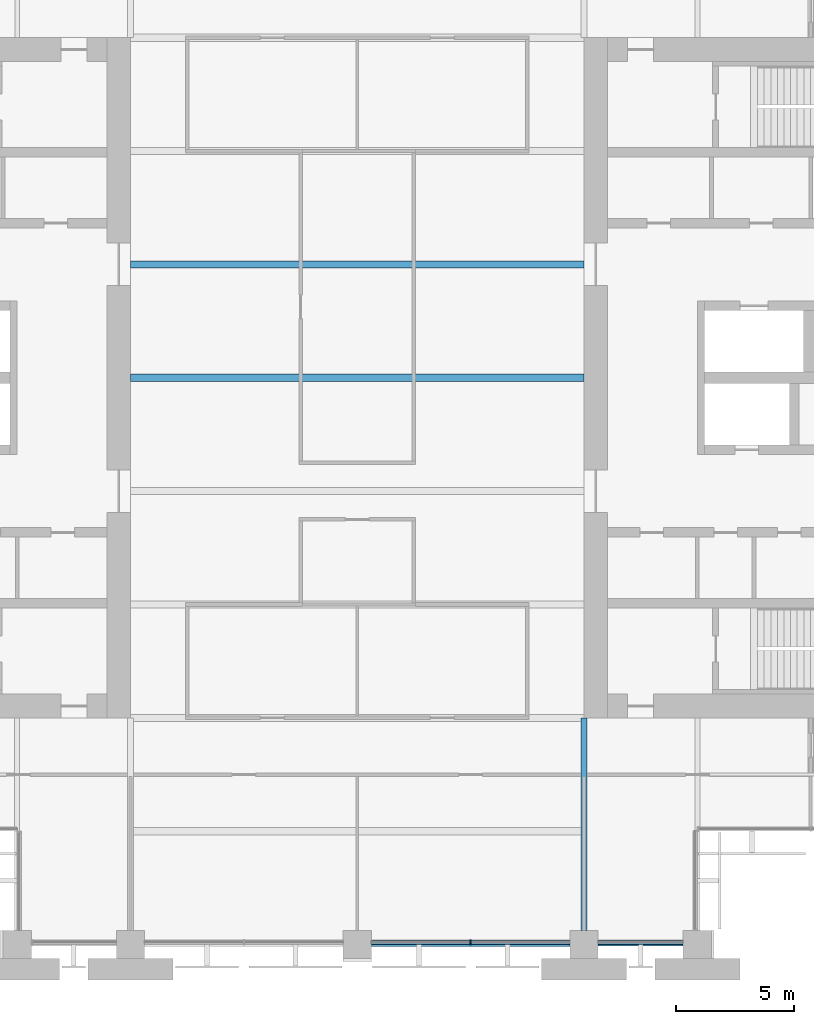
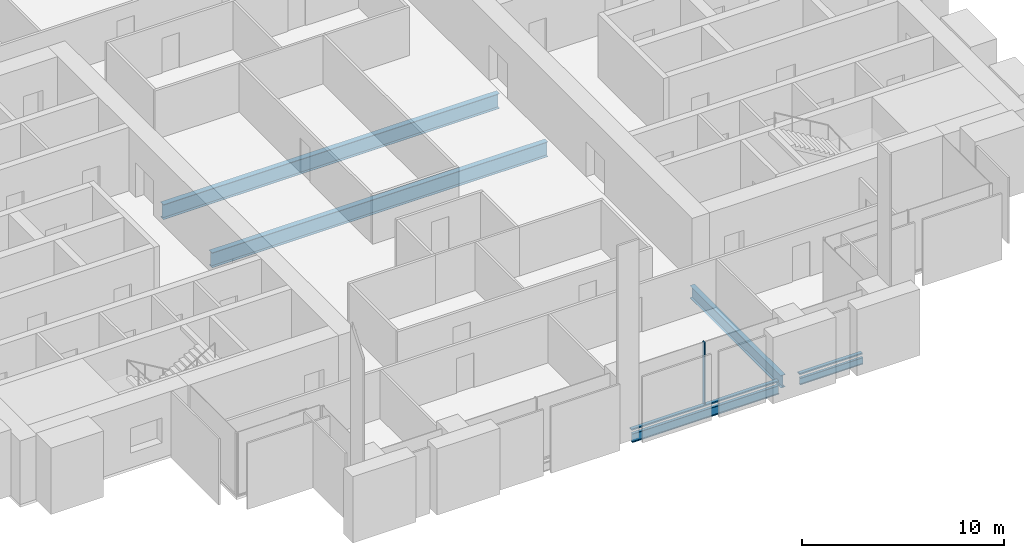
# One storey, part 3 of 14: 5 beams, 3 members, 1 element without a shape of its own.
"""IFC4 building model written with IfcOpenShell, lengths in metres."""

from ifc_helpers import new_model, si_unit, direction, frame, origin, origin_2d, place, context, subcontext, project, spatial, rectangle, i_section, extrude, material, material_profile, profile_set, type_object, element, aggregate, save


model = new_model("IFC4")

# Units and contexts
model_context = context("Model", 3, precision=1e-05, world=origin(), true_north=direction((0.0, 1.0)))
body_context = subcontext(model_context, "Body", "Model", "MODEL_VIEW")
ifc_project = project(units=[si_unit("LENGTHUNIT", "METRE"), si_unit("AREAUNIT", "SQUARE_METRE"), si_unit("VOLUMEUNIT", "CUBIC_METRE"), si_unit("PLANEANGLEUNIT", "RADIAN"), si_unit("MASSUNIT", "GRAM", prefix="KILO")], contexts=[model_context])

# Site, building, storey
site_placement = place(None, origin())
site = spatial("IfcSite", under=ifc_project, at=site_placement, CompositionType="ELEMENT")
building_placement = place(site_placement, origin())
building = spatial("IfcBuilding", under=site, at=building_placement, Name="Baori Bourse Tower", CompositionType="ELEMENT")
storey_placement = place(building_placement, frame((0.0, 0.0, 108.10009765625)))
storey = spatial("IfcBuildingStorey", under=building, at=storey_placement, Name="L22", CompositionType="ELEMENT", Elevation=108.10009765625)

# Curtain wall, members
ifc_material_1 = material(Name="Pale anodised aluminium", Category="aluminium")
curtain_wall_type = type_object("IfcCurtainWallType", Name="CW1 Curtain wall", PredefinedType="NOTDEFINED", material=ifc_material_1)
curtain_wall_placement = place(storey_placement, origin())
curtain_wall = element("IfcCurtainWall", 1, at=curtain_wall_placement, inside=storey, type_object=curtain_wall_type, Name="Curtain wall CW1 L22 11", PredefinedType="NOTDEFINED")
ifc_material_2 = material(Name="Pale anodised aluminium", Category="aluminium")
ifc_material_profile_1 = material_profile(ifc_material_2, rectangle(XDim=0.199951171875, YDim=0.06005859375, at=origin_2d()), Name="Mullion 60x200")
ifc_profile_set_1 = profile_set([ifc_material_profile_1], Name="Pale anodised aluminium")
member_type_1 = type_object("IfcMemberType", Name="CW1 Curtain wall mullion", PredefinedType="MULLION", material=ifc_profile_set_1)
member_1_placement = place(storey_placement, frame((33.60009765625, 0.10009765625, 0.079833984375), z_axis=(0.0, 0.0, 1.0), x_axis=(0.0, 1.0, 0.0)))
member_1 = element("IfcMember", 2, at=member_1_placement, type_object=member_type_1, Name="Curtain wall CW1 mullion", PredefinedType="MULLION", context=body_context, shape_type="SweptSolid", body=[
    extrude(rectangle(XDim=0.199951171875, YDim=0.06005859375, at=origin_2d()), origin(), (0.0, 0.0, 1.0), 3.760009765625),
])
ifc_material_3 = material(Name="Pale anodised aluminium", Category="aluminium")
ifc_material_profile_2 = material_profile(ifc_material_3, rectangle(XDim=0.199951171875, YDim=0.080078125, at=origin_2d()), Name="Transom 80x200")
ifc_profile_set_2 = profile_set([ifc_material_profile_2], Name="Pale anodised aluminium")
member_type_2 = type_object("IfcMemberType", Name="CW1 Curtain wall transom", PredefinedType="USERDEFINED", material=ifc_profile_set_2)
member_2_placement = place(storey_placement, frame((29.39990234375, 0.10009765625, 0.039794921875), z_axis=(1.0, 0.0, 0.0), x_axis=(0.0, 1.0, 0.0)))
member_2 = element("IfcMember", 3, at=member_2_placement, type_object=member_type_2, Name="Curtain wall CW1 sill rail", ObjectType="TRANSOM", PredefinedType="USERDEFINED", context=body_context, shape_type="SweptSolid", body=[
    extrude(rectangle(XDim=0.199951171875, YDim=0.080078125, at=origin_2d()), origin(), (0.0, 0.0, 1.0), 8.400146484375),
])
member_3_placement = place(storey_placement, frame((39.0, 0.10009765625, 0.039794921875), z_axis=(1.0, 0.0, 0.0), x_axis=(0.0, 1.0, 0.0)))
member_3 = element("IfcMember", 4, at=member_3_placement, type_object=member_type_2, Name="Curtain wall CW1 sill rail", ObjectType="TRANSOM", PredefinedType="USERDEFINED", context=body_context, shape_type="SweptSolid", body=[
    extrude(rectangle(XDim=0.199951171875, YDim=0.080078125, at=origin_2d()), origin(), (0.0, 0.0, 1.0), 3.60009765625),
])
aggregate(curtain_wall, [member_2, member_1, member_3])

# Beams
ifc_material_4 = material(Name="Steel A992 Gr 50", Category="steel")
ifc_material_profile_3 = material_profile(ifc_material_4, i_section(OverallWidth=0.140380859375, OverallDepth=0.40380859375, WebThickness=0.007080078125, FlangeThickness=0.01123046875, at=origin_2d()), Name="W16x31")
ifc_profile_set_3 = profile_set([ifc_material_profile_3], Name="Steel A992 Gr 50")
beam_type_1 = type_object("IfcBeamType", Name="Edge beam W16x31", PredefinedType="BEAM", material=ifc_profile_set_3)
beam_1_placement = place(storey_placement, frame((39.0, 0.0, -0.362060546875), z_axis=(1.0, 0.0, 0.0), x_axis=(0.0, 1.0, 0.0)))
element("IfcBeam", 5, at=beam_1_placement, inside=storey, type_object=beam_type_1, Name="Edge beam L22", PredefinedType="BEAM", context=body_context, shape_type="SweptSolid", body=[
    extrude(i_section(OverallWidth=0.140380859375, OverallDepth=0.40380859375, WebThickness=0.007080078125, FlangeThickness=0.01123046875, at=origin_2d()), origin(), (0.0, 0.0, 1.0), 3.60009765625),
])
ifc_material_5 = material(Name="Steel A992 Gr 50", Category="steel")
ifc_material_profile_4 = material_profile(ifc_material_5, i_section(OverallWidth=0.1650390625, OverallDepth=0.52587890625, WebThickness=0.0087890625, FlangeThickness=0.011474609375, at=origin_2d()), Name="W21x44")
ifc_profile_set_4 = profile_set([ifc_material_profile_4], Name="Steel A992 Gr 50")
beam_type_2 = type_object("IfcBeamType", Name="Edge beam W21x44", PredefinedType="BEAM", material=ifc_profile_set_4)
beam_2_placement = place(storey_placement, frame((29.39990234375, 0.0, -0.423095703125), z_axis=(1.0, 0.0, 0.0), x_axis=(0.0, 1.0, 0.0)))
element("IfcBeam", 6, at=beam_2_placement, inside=storey, type_object=beam_type_2, Name="Edge beam L22", PredefinedType="BEAM", context=body_context, shape_type="SweptSolid", body=[
    extrude(i_section(OverallWidth=0.1650390625, OverallDepth=0.52587890625, WebThickness=0.0087890625, FlangeThickness=0.011474609375, at=origin_2d()), origin(), (0.0, 0.0, 1.0), 8.400146484375),
])
ifc_material_6 = material(Name="Steel A992 Gr 50", Category="steel")
ifc_material_profile_5 = material_profile(ifc_material_6, i_section(OverallWidth=0.3046875, OverallDepth=0.904296875, WebThickness=0.01513671875, FlangeThickness=0.02001953125, at=origin_2d()), Name="W36x135")
ifc_profile_set_5 = profile_set([ifc_material_profile_5], Name="Steel A992 Gr 50")
beam_type_3 = type_object("IfcBeamType", Name="Floor beam W36x135", PredefinedType="BEAM", material=ifc_profile_set_5)
for number, where, z_axis, x_axis, name in (
    (7, (19.199951171875, 24.0, -0.6123046875), (1.0, 0.0, 0.0), (0.0, 1.0, 0.0), "Floor beam L22"),
    (8, (19.199951171875, 28.800048828125, -0.6123046875), (1.0, 0.0, 0.0), (0.0, 1.0, 0.0), "Floor beam L22"),
):
    element("IfcBeam", number, at=place(storey_placement, frame(where, z_axis=z_axis, x_axis=x_axis)), inside=storey, type_object=beam_type_3, Name=name, PredefinedType="BEAM", context=body_context, shape_type="SweptSolid", body=[
        extrude(i_section(OverallWidth=0.3046875, OverallDepth=0.904296875, WebThickness=0.01513671875, FlangeThickness=0.02001953125, at=origin_2d()), origin(), (0.0, 0.0, 1.0), 19.199951171875),
    ])
ifc_material_7 = material(Name="Steel A992 Gr 50", Category="steel")
ifc_material_profile_6 = material_profile(ifc_material_7, i_section(OverallWidth=0.26416015625, OverallDepth=0.749267578125, WebThickness=0.011962890625, FlangeThickness=0.015380859375, at=origin_2d()), Name="W30x90")
ifc_profile_set_6 = profile_set([ifc_material_profile_6], Name="Steel A992 Gr 50")
beam_type_4 = type_object("IfcBeamType", Name="Girder W30x90", PredefinedType="BEAM", material=ifc_profile_set_6)
beam_3_placement = place(storey_placement, frame((38.39990234375, 0.60009765625, -0.53466796875), z_axis=(0.0, 1.0, 0.0), x_axis=(-1.0, 0.0, 0.0)))
element("IfcBeam", 9, at=beam_3_placement, inside=storey, type_object=beam_type_4, Name="Girder L22", PredefinedType="BEAM", context=body_context, shape_type="SweptSolid", body=[
    extrude(i_section(OverallWidth=0.26416015625, OverallDepth=0.749267578125, WebThickness=0.011962890625, FlangeThickness=0.015380859375, at=origin_2d()), origin(), (0.0, 0.0, 1.0), 9.0),
])

save(model, "model.ifc")
